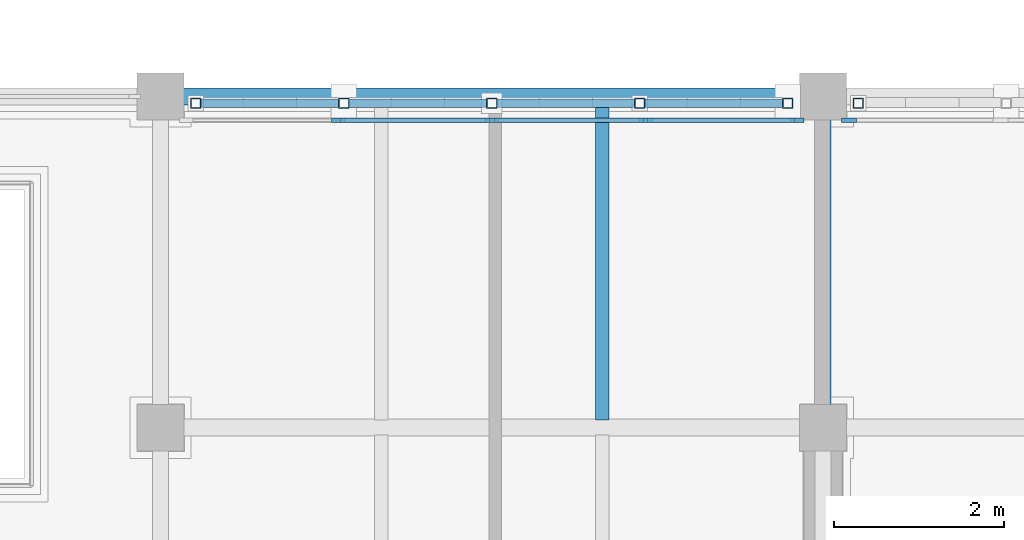
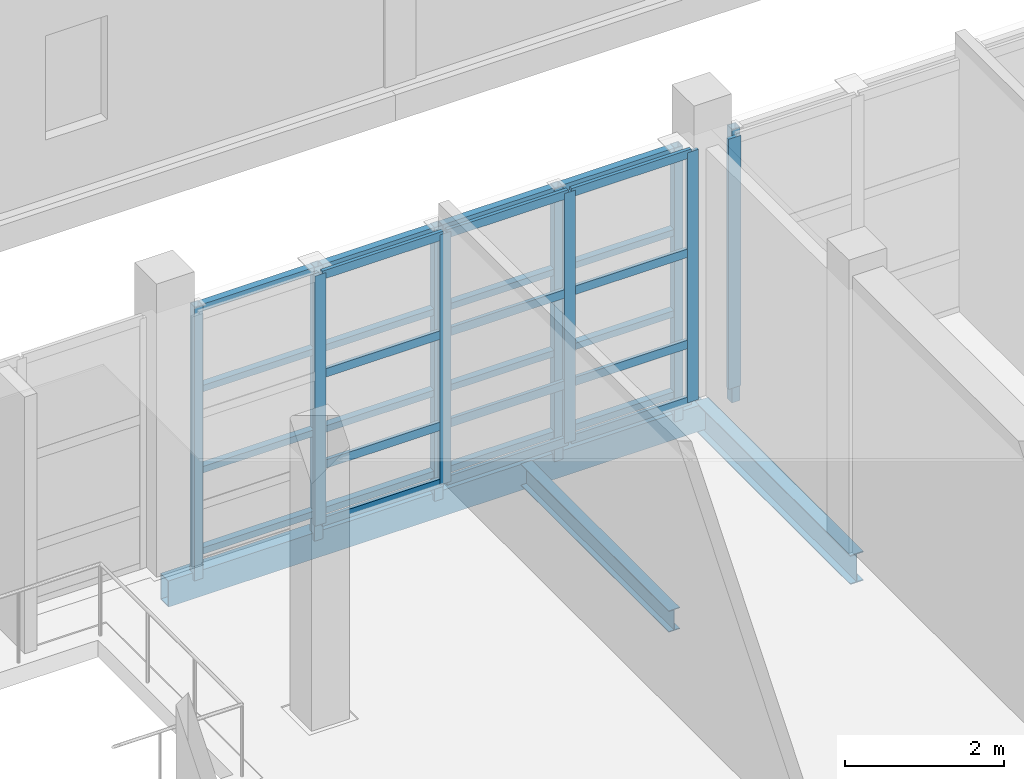
# One storey, part 19 of 119: 39 members, 3 beams, 2 elements without a shape of their own.
"""IFC4 building model written with IfcOpenShell, lengths in metres."""

import ifcopenshell
import ifcopenshell.guid

model = None  # the IFC model being written
_history = None  # IfcOwnerHistory: only IFC2X3 demands one
_inside = {}  # id of a spatial element -> (the spatial element, [elements in it])
_under = {}  # id of a project, library or spatial element -> (it, [spatial elements below it])
_declared = {}  # id of a project -> (the project, [libraries it declares])
_typed = {}  # id of a type object -> (the type object, [elements of that type])
_made_of = {}  # id of a material, layer set ... -> (it, [elements and type objects made of it])


def new_model(schema):
    """Start an empty IFC model of exactly this schema.

    Asked for "IFC4X3", IfcOpenShell would pick the latest addendum, in which some entities
    have other attributes; the version numbers below select the first issue.
    IFC2X3 requires an IfcOwnerHistory on every rooted entity: one is made here for all.
    """
    global model, _history
    if schema == "IFC4X3":
        model = ifcopenshell.file(schema_version=(4, 3, 0, 0))
    else:
        model = ifcopenshell.file(schema=schema)
    _inside.clear()
    _under.clear()
    _declared.clear()
    _typed.clear()
    _made_of.clear()
    _history = None
    if model.schema == "IFC2X3":
        org = make("IfcOrganization", Name="unknown")
        user = make(
            "IfcPersonAndOrganization",
            ThePerson=make("IfcPerson", FamilyName="unknown"),
            TheOrganization=org,
        )
        app = make(
            "IfcApplication",
            ApplicationDeveloper=org,
            Version="unknown",
            ApplicationFullName="unknown",
            ApplicationIdentifier="unknown",
        )
        _history = make(
            "IfcOwnerHistory",
            OwningUser=user,
            OwningApplication=app,
            ChangeAction="ADDED",
            CreationDate=0,
        )
    return model


def make(cls, **values):
    """One entity of the class cls with the attributes given. An attribute that is None is left unset."""
    return model.create_entity(
        cls, **{name: value for name, value in values.items() if value is not None}
    )


def rooted(cls, **values):
    """An entity with a GlobalId (a new one), such as an element, a storey or a relation."""
    return make(cls, GlobalId=ifcopenshell.guid.new(), OwnerHistory=_history, **values)


def si_unit(unit_type, name, prefix=None):
    """IfcSIUnit, for example si_unit("LENGTHUNIT", "METRE", prefix="MILLI")."""
    return make("IfcSIUnit", UnitType=unit_type, Prefix=prefix, Name=name)


def assignment(units):
    """IfcUnitAssignment: the units of a project."""
    return None if units is None else make("IfcUnitAssignment", Units=units)


def point(xyz):
    """IfcCartesianPoint."""
    return None if xyz is None else make("IfcCartesianPoint", Coordinates=xyz)


def direction(xyz):
    """IfcDirection."""
    return None if xyz is None else make("IfcDirection", DirectionRatios=xyz)


def frame(location, z_axis=None, x_axis=None):
    """IfcAxis2Placement3D, a coordinate frame: its origin and axes. An axis left out is left unset."""
    return make(
        "IfcAxis2Placement3D",
        Location=point(location),
        Axis=direction(z_axis),
        RefDirection=direction(x_axis),
    )


def frame_2d(location, x_axis=None):
    """IfcAxis2Placement2D, a coordinate frame in the plane: its origin and x axis."""
    return make(
        "IfcAxis2Placement2D", Location=point(location), RefDirection=direction(x_axis)
    )


def origin():
    """The frame at (0, 0, 0) with its axes left unset."""
    return frame((0.0, 0.0, 0.0))


def origin_2d():
    """The frame at (0, 0) in the plane with its x axis left unset."""
    return frame_2d((0.0, 0.0))


def place(relative_to, where):
    """IfcLocalPlacement: puts the frame where relative to a parent placement (None: the world)."""
    return make(
        "IfcLocalPlacement", PlacementRelTo=relative_to, RelativePlacement=where
    )


def context(
    kind, dimensions, precision=None, world=None, true_north=None, identifier=None
):
    """IfcGeometricRepresentationContext, for example the 3D "Model" context."""
    return make(
        "IfcGeometricRepresentationContext",
        ContextIdentifier=identifier,
        ContextType=kind,
        CoordinateSpaceDimension=dimensions,
        Precision=precision,
        WorldCoordinateSystem=world,
        TrueNorth=true_north,
    )


def subcontext(parent, identifier, kind, view, scale=None):
    """IfcGeometricRepresentationSubContext, for example "Body" below "Model"."""
    return make(
        "IfcGeometricRepresentationSubContext",
        ContextIdentifier=identifier,
        ContextType=kind,
        ParentContext=parent,
        TargetScale=scale,
        TargetView=view,
    )


def project(units=None, contexts=None):
    """IfcProject with its units and contexts."""
    return rooted(
        "IfcProject",
        Name="project",
        RepresentationContexts=contexts,
        UnitsInContext=assignment(units),
    )


def spatial(cls, under=None, at=None, **own):
    """A site, building, storey or space (cls), placed at a placement, below another one or the project."""
    s = rooted(cls, ObjectPlacement=at, **own)
    if under is not None:
        _under.setdefault(under.id(), (under, []))[1].append(s)
    return s


def profile(cls, at=None, kind="AREA", **sizes):
    """A parametric profile (cls). Its sizes go by their IFC names, for example OverallWidth=200.0."""
    return make(cls, ProfileType=kind, Position=at, **sizes)


def rectangle(**sizes):
    """IfcRectangleProfileDef."""
    return profile("IfcRectangleProfileDef", **sizes)


def hollow_rectangle(**sizes):
    """IfcRectangleHollowProfileDef."""
    return profile("IfcRectangleHollowProfileDef", **sizes)


def i_section(**sizes):
    """IfcIShapeProfileDef."""
    return profile("IfcIShapeProfileDef", **sizes)


def extrude(swept, where, along, depth):
    """IfcExtrudedAreaSolid: the profile swept, set in the frame where, extruded along a direction by depth."""
    return make(
        "IfcExtrudedAreaSolid",
        SweptArea=swept,
        Position=where,
        ExtrudedDirection=direction(along),
        Depth=depth,
    )


def shape(context_of_items, identifier, shape_type, items):
    """IfcShapeRepresentation: the items that make up one representation, for example the "Body"."""
    return make(
        "IfcShapeRepresentation",
        ContextOfItems=context_of_items,
        RepresentationIdentifier=identifier,
        RepresentationType=shape_type,
        Items=items,
    )


def material(Name=None, Category=None):
    """IfcMaterial."""
    return make("IfcMaterial", Name=Name, Category=Category)


def layer(
    of_material, thickness, ventilated=None, Name=None, Category=None, Priority=None
):
    """IfcMaterialLayer: one layer of a wall or slab, of a material (None: an air gap)."""
    return make(
        "IfcMaterialLayer",
        Material=of_material,
        LayerThickness=thickness,
        IsVentilated=ventilated,
        Name=Name,
        Category=Category,
        Priority=Priority,
    )


def layer_set(layers, Name=None):
    """IfcMaterialLayerSet."""
    return make("IfcMaterialLayerSet", MaterialLayers=layers, LayerSetName=Name)


def material_profile(
    of_material, cross_section, Name=None, Category=None, Priority=None
):
    """IfcMaterialProfile: a cross section and its material."""
    return make(
        "IfcMaterialProfile",
        Name=Name,
        Material=of_material,
        Profile=cross_section,
        Priority=Priority,
        Category=Category,
    )


def profile_set(profiles, Name=None, composite=None):
    """IfcMaterialProfileSet."""
    return make(
        "IfcMaterialProfileSet",
        Name=Name,
        MaterialProfiles=profiles,
        CompositeProfile=composite,
    )


def made_of(thing, what):
    """Note that an element or type object is made of a material, layer set ...; save() writes the relation."""
    if what is not None:
        _made_of.setdefault(what.id(), (what, []))[1].append(thing)
    return thing


def type_object(cls, material=None, **own):
    """A type object (cls), such as IfcWallType, which elements share."""
    return made_of(rooted(cls, **own), material)


def element(
    cls,
    number,
    at=None,
    inside=None,
    cuts=None,
    type_object=None,
    material=None,
    context=None,
    identifier="Body",
    shape_type=None,
    held_by="IfcProductDefinitionShape",
    body=None,
    shapes=None,
    **own,
):
    """One element of the class cls, such as IfcWall. Its Tag is "e" and its number.

    at: its placement. inside: the storey or other place that contains it. cuts: it is an
    opening in that element (IfcRelVoidsElement). A single representation is given by context,
    identifier, shape_type and body (its items); several are given by shapes. held_by: the class
    of the entity that holds the representations. save() writes the other relations.
    """
    e = rooted(cls, Tag="e%d" % number, ObjectPlacement=at, **own)
    if body is not None:
        shapes = [shape(context, identifier, shape_type, body)]
    if shapes is not None:
        e.Representation = make(held_by, Representations=shapes)
    if inside is not None:
        _inside.setdefault(inside.id(), (inside, []))[1].append(e)
    if cuts is not None:
        rooted(
            "IfcRelVoidsElement", RelatingBuildingElement=cuts, RelatedOpeningElement=e
        )
    if type_object is not None:
        _typed.setdefault(type_object.id(), (type_object, []))[1].append(e)
    return made_of(e, material)


def aggregate(whole, parts):
    """IfcRelAggregates: a whole, such as a stair, and the parts it consists of."""
    return rooted("IfcRelAggregates", RelatingObject=whole, RelatedObjects=parts)


def save(model, path):
    """Write the relations noted so far, then the file.

    IfcRelAggregates (storeys below a building ...), IfcRelContainedInSpatialStructure (elements
    in a storey), IfcRelDefinesByType, IfcRelAssociatesMaterial and IfcRelDeclares: one each for
    every whole, place, type object, material and project.
    """
    for whole, parts in _under.values():
        aggregate(whole, parts)
    for where, things in _inside.values():
        rooted(
            "IfcRelContainedInSpatialStructure",
            RelatedElements=things,
            RelatingStructure=where,
        )
    for kind, things in _typed.values():
        rooted("IfcRelDefinesByType", RelatedObjects=things, RelatingType=kind)
    for what, things in _made_of.values():
        rooted("IfcRelAssociatesMaterial", RelatedObjects=things, RelatingMaterial=what)
    for by, libraries in _declared.values():
        rooted("IfcRelDeclares", RelatingContext=by, RelatedDefinitions=libraries)
    model.write(path)


model = new_model("IFC4")

# Units and contexts
model_context = context("Model", 3, precision=1e-05, world=origin(), true_north=direction((0.0, 1.0)))
body_context = subcontext(model_context, "Body", "Model", "MODEL_VIEW")
ifc_project = project(units=[si_unit("LENGTHUNIT", "METRE"), si_unit("AREAUNIT", "SQUARE_METRE"), si_unit("VOLUMEUNIT", "CUBIC_METRE"), si_unit("PLANEANGLEUNIT", "RADIAN"), si_unit("MASSUNIT", "GRAM", prefix="KILO")], contexts=[model_context])

# Site, building, storey
site_placement = place(None, origin())
site = spatial("IfcSite", under=ifc_project, at=site_placement, CompositionType="ELEMENT")
building_placement = place(site_placement, origin())
building = spatial("IfcBuilding", under=site, at=building_placement, Name="Celorna Specialist Clinic", CompositionType="ELEMENT")
storey_placement = place(building_placement, frame((0.0, 0.0, 9.60009765625)))
storey = spatial("IfcBuildingStorey", under=building, at=storey_placement, Name="L02", CompositionType="ELEMENT", Elevation=9.60009765625)

# Beams
ifc_material_1 = material(Name="Steel S355", Category="steel")
ifc_material_profile_1 = material_profile(ifc_material_1, i_section(OverallWidth=0.18994140625, OverallDepth=0.449951171875, WebThickness=0.009521484375, FlangeThickness=0.0146484375, at=origin_2d()), Name="IPE 450")
ifc_profile_set_1 = profile_set([ifc_material_profile_1], Name="Steel S355")
beam_type_1 = type_object("IfcBeamType", Name="BM-09", PredefinedType="BEAM", material=ifc_profile_set_1)
beam_1_placement = place(storey_placement, frame((31.199951171875, 23.39990234375, -0.485107421875), z_axis=(0.0, 1.0, 0.0), x_axis=(-1.0, 0.0, 0.0)))
element("IfcBeam", 1, at=beam_1_placement, inside=storey, type_object=beam_type_1, Name="Transverse girder BM-09 #1763", PredefinedType="BEAM", context=body_context, shape_type="SweptSolid", body=[
    extrude(i_section(OverallWidth=0.18994140625, OverallDepth=0.449951171875, WebThickness=0.009521484375, FlangeThickness=0.0146484375, at=origin_2d()), origin(), (0.0, 0.0, 1.0), 3.900146484375),
])
ifc_material_profile_2 = material_profile(ifc_material_1, i_section(OverallWidth=0.159912109375, OverallDepth=0.330078125, WebThickness=0.007568359375, FlangeThickness=0.011474609375, at=origin_2d()), Name="IPE 330")
ifc_profile_set_2 = profile_set([ifc_material_profile_2], Name="Steel S355")
beam_type_2 = type_object("IfcBeamType", Name="BM-12", PredefinedType="JOIST", material=ifc_profile_set_2)
beam_2_placement = place(storey_placement, frame((28.60009765625, 23.488037109375, -0.425048828125), z_axis=(0.0, 1.0, 0.0), x_axis=(-1.0, 0.0, 0.0)))
element("IfcBeam", 2, at=beam_2_placement, inside=storey, type_object=beam_type_2, Name="Secondary floor joist BM-12 #1804", PredefinedType="JOIST", context=body_context, shape_type="SweptSolid", body=[
    extrude(i_section(OverallWidth=0.159912109375, OverallDepth=0.330078125, WebThickness=0.007568359375, FlangeThickness=0.011474609375, at=origin_2d()), origin(), (0.0, 0.0, 1.0), 3.723876953125),
])
ifc_material_profile_3 = material_profile(ifc_material_1, hollow_rectangle(XDim=0.199951171875, YDim=0.39990234375, WallThickness=0.011962890625, at=origin_2d()), Name="RHS 200x400x12")
ifc_profile_set_3 = profile_set([ifc_material_profile_3], Name="Steel S355")
beam_type_3 = type_object("IfcBeamType", Name="BM-15", PredefinedType="SPANDREL", material=ifc_profile_set_3)
beam_3_placement = place(storey_placement, frame((23.39990234375, 27.300048828125, -0.460205078125), z_axis=(1.0, 0.0, 0.0), x_axis=(0.0, 1.0, 0.0)))
element("IfcBeam", 3, at=beam_3_placement, inside=storey, type_object=beam_type_3, Name="Spandrel beam BM-15 #1736", PredefinedType="SPANDREL", context=body_context, shape_type="SweptSolid", body=[
    extrude(hollow_rectangle(XDim=0.199951171875, YDim=0.39990234375, WallThickness=0.011962890625, at=origin_2d()), origin(), (0.0, 0.0, 1.0), 7.800048828125),
])

# Members
ifc_material_profile_4 = material_profile(ifc_material_1, hollow_rectangle(XDim=0.1201171875, YDim=0.1201171875, WallThickness=0.008056640625, at=origin_2d()), Name="SHS 120x120x8")
ifc_profile_set_4 = profile_set([ifc_material_profile_4], Name="Steel S355")
member_type_1 = type_object("IfcMemberType", Name="MB-11", PredefinedType="STUD", material=ifc_profile_set_4)
for number, where, z_axis, x_axis, name in (
    (4, (23.81494140625, 27.219970703125, -0.360107421875), (0.0, 0.0, 1.0), (1.0, 0.0, 0.0), "Perforated screen steel post #1773"),
    (5, (25.5576171875, 27.219970703125, -0.360107421875), (0.0, 0.0, 1.0), (1.0, 0.0, 0.0), "Perforated screen steel post #1774"),
    (6, (27.300048828125, 27.219970703125, -0.360107421875), (0.0, 0.0, 1.0), (1.0, 0.0, 0.0), "Perforated screen steel post #1775"),
    (7, (29.04248046875, 27.219970703125, -0.360107421875), (0.0, 0.0, 1.0), (1.0, 0.0, 0.0), "Perforated screen steel post #1776"),
    (8, (30.784912109375, 27.219970703125, -0.360107421875), (0.0, 0.0, 1.0), (1.0, 0.0, 0.0), "Perforated screen steel post #1777"),
    (9, (31.614990234375, 27.219970703125, -0.360107421875), (0.0, 0.0, 1.0), (1.0, 0.0, 0.0), "Perforated screen steel post #1794"),
):
    element("IfcMember", number, at=place(storey_placement, frame(where, z_axis=z_axis, x_axis=x_axis)), inside=storey, type_object=member_type_1, Name=name, PredefinedType="STUD", context=body_context, shape_type="SweptSolid", body=[
        extrude(hollow_rectangle(XDim=0.1201171875, YDim=0.1201171875, WallThickness=0.008056640625, at=origin_2d()), origin(), (0.0, 0.0, 1.0), 4.199951171875),
    ])
ifc_material_profile_5 = material_profile(ifc_material_1, hollow_rectangle(XDim=0.10009765625, YDim=0.10009765625, WallThickness=0.006103515625, at=origin_2d()), Name="SHS 100x100x6")
ifc_profile_set_5 = profile_set([ifc_material_profile_5], Name="Steel S355")
member_type_2 = type_object("IfcMemberType", Name="MB-12", PredefinedType="STUD", material=ifc_profile_set_5)
for number, where, z_axis, x_axis, name in (
    (10, (23.875, 27.219970703125, 0.0498046875), (1.0, 0.0, 0.0), (0.0, 1.0, 0.0), "Perforated screen rail #1778"),
    (11, (23.875, 27.219970703125, 1.296630859375), (1.0, 0.0, 0.0), (0.0, 1.0, 0.0), "Perforated screen rail #1779"),
    (12, (23.875, 27.219970703125, 2.543212890625), (1.0, 0.0, 0.0), (0.0, 1.0, 0.0), "Perforated screen rail #1780"),
    (13, (23.875, 27.219970703125, 3.789794921875), (1.0, 0.0, 0.0), (0.0, 1.0, 0.0), "Perforated screen rail #1781"),
    (14, (25.617431640625, 27.219970703125, 0.0498046875), (1.0, 0.0, 0.0), (0.0, 1.0, 0.0), "Perforated screen rail #1782"),
    (15, (25.617431640625, 27.219970703125, 1.296630859375), (1.0, 0.0, 0.0), (0.0, 1.0, 0.0), "Perforated screen rail #1783"),
    (16, (25.617431640625, 27.219970703125, 2.543212890625), (1.0, 0.0, 0.0), (0.0, 1.0, 0.0), "Perforated screen rail #1784"),
    (17, (25.617431640625, 27.219970703125, 3.789794921875), (1.0, 0.0, 0.0), (0.0, 1.0, 0.0), "Perforated screen rail #1785"),
):
    element("IfcMember", number, at=place(storey_placement, frame(where, z_axis=z_axis, x_axis=x_axis)), inside=storey, type_object=member_type_2, Name=name, PredefinedType="STUD", context=body_context, shape_type="SweptSolid", body=[
        extrude(hollow_rectangle(XDim=0.10009765625, YDim=0.10009765625, WallThickness=0.006103515625, at=origin_2d()), origin(), (0.0, 0.0, 1.0), 1.62255859375),
    ])
for number, where, z_axis, x_axis, name in (
    (18, (27.360107421875, 27.219970703125, 0.0498046875), (1.0, 0.0, 0.0), (0.0, 1.0, 0.0), "Perforated screen rail #1786"),
    (19, (27.360107421875, 27.219970703125, 1.296630859375), (1.0, 0.0, 0.0), (0.0, 1.0, 0.0), "Perforated screen rail #1787"),
    (20, (27.360107421875, 27.219970703125, 2.543212890625), (1.0, 0.0, 0.0), (0.0, 1.0, 0.0), "Perforated screen rail #1788"),
    (21, (27.360107421875, 27.219970703125, 3.789794921875), (1.0, 0.0, 0.0), (0.0, 1.0, 0.0), "Perforated screen rail #1789"),
):
    element("IfcMember", number, at=place(storey_placement, frame(where, z_axis=z_axis, x_axis=x_axis)), inside=storey, type_object=member_type_2, Name=name, PredefinedType="STUD", context=body_context, shape_type="SweptSolid", body=[
        extrude(hollow_rectangle(XDim=0.10009765625, YDim=0.10009765625, WallThickness=0.006103515625, at=origin_2d()), origin(), (0.0, 0.0, 1.0), 1.622314453125),
    ])
for number, where, z_axis, x_axis, name in (
    (22, (29.1025390625, 27.219970703125, 0.0498046875), (1.0, 0.0, 0.0), (0.0, 1.0, 0.0), "Perforated screen rail #1790"),
    (23, (29.1025390625, 27.219970703125, 1.296630859375), (1.0, 0.0, 0.0), (0.0, 1.0, 0.0), "Perforated screen rail #1791"),
    (24, (29.1025390625, 27.219970703125, 2.543212890625), (1.0, 0.0, 0.0), (0.0, 1.0, 0.0), "Perforated screen rail #1792"),
    (25, (29.1025390625, 27.219970703125, 3.789794921875), (1.0, 0.0, 0.0), (0.0, 1.0, 0.0), "Perforated screen rail #1793"),
):
    element("IfcMember", number, at=place(storey_placement, frame(where, z_axis=z_axis, x_axis=x_axis)), inside=storey, type_object=member_type_2, Name=name, PredefinedType="STUD", context=body_context, shape_type="SweptSolid", body=[
        extrude(hollow_rectangle(XDim=0.10009765625, YDim=0.10009765625, WallThickness=0.006103515625, at=origin_2d()), origin(), (0.0, 0.0, 1.0), 1.62255859375),
    ])

# Curtain wall, members
ifc_material_2 = material(Name="Thermally broken aluminium and solar-control glass curtain wall", Category="aluminium")
ifc_layer_1 = layer(ifc_material_2, 0.159912109375, Name="Thermally broken aluminium and solar-control glass curtain wall")
ifc_layer_set_1 = layer_set([ifc_layer_1], Name="Thermally broken aluminium and solar-control glass curtain wall")
curtain_wall_type_1 = type_object("IfcCurtainWallType", Name="CW-90", PredefinedType="NOTDEFINED", material=ifc_layer_set_1)
curtain_wall_1_placement = place(storey_placement, origin())
curtain_wall_1 = element("IfcCurtainWall", 26, at=curtain_wall_1_placement, inside=storey, type_object=curtain_wall_type_1, Name="Curtain wall CW-90 #164", PredefinedType="NOTDEFINED")
ifc_material_3 = material(Name="Anodized aluminium mullion", Category="aluminium")
ifc_material_profile_6 = material_profile(ifc_material_3, rectangle(XDim=0.050048828125, YDim=0.159912109375, at=origin_2d()), Name="ALU MULLION 50x160")
ifc_profile_set_6 = profile_set([ifc_material_profile_6], Name="Anodized aluminium mullion")
member_type_3 = type_object("IfcMemberType", Name="ML-01", PredefinedType="MULLION", material=ifc_profile_set_6)
member_1_placement = place(storey_placement, frame((25.489501953125, 27.02001953125, 0.0), z_axis=(0.0, 0.0, 1.0), x_axis=(0.0, 1.0, 0.0)))
member_1 = element("IfcMember", 27, at=member_1_placement, type_object=member_type_3, Name="CW-90 mullion 2", PredefinedType="MULLION", context=body_context, shape_type="SweptSolid", body=[
    extrude(rectangle(XDim=0.050048828125, YDim=0.159912109375, at=origin_2d()), origin(), (0.0, 0.0, 1.0), 3.83984375),
])
member_2_placement = place(storey_placement, frame((27.300048828125, 27.02001953125, 0.0), z_axis=(0.0, 0.0, 1.0), x_axis=(0.0, 1.0, 0.0)))
member_2 = element("IfcMember", 28, at=member_2_placement, type_object=member_type_3, Name="CW-90 mullion 3", PredefinedType="MULLION", context=body_context, shape_type="SweptSolid", body=[
    extrude(rectangle(XDim=0.050048828125, YDim=0.159912109375, at=origin_2d()), origin(), (0.0, 0.0, 1.0), 3.83984375),
])
member_3_placement = place(storey_placement, frame((29.110595703125, 27.02001953125, 0.0), z_axis=(0.0, 0.0, 1.0), x_axis=(0.0, 1.0, 0.0)))
member_3 = element("IfcMember", 29, at=member_3_placement, type_object=member_type_3, Name="CW-90 mullion 4", PredefinedType="MULLION", context=body_context, shape_type="SweptSolid", body=[
    extrude(rectangle(XDim=0.050048828125, YDim=0.159912109375, at=origin_2d()), origin(), (0.0, 0.0, 1.0), 3.83984375),
])
member_4_placement = place(storey_placement, frame((30.89599609375, 27.02001953125, 0.0), z_axis=(0.0, 0.0, 1.0), x_axis=(0.0, 1.0, 0.0)))
member_4 = element("IfcMember", 30, at=member_4_placement, type_object=member_type_3, Name="CW-90 mullion 5", PredefinedType="MULLION", context=body_context, shape_type="SweptSolid", body=[
    extrude(rectangle(XDim=0.050048828125, YDim=0.159912109375, at=origin_2d()), origin(), (0.0, 0.0, 1.0), 3.83984375),
])

# Curtain wall, member
ifc_layer_2 = layer(ifc_material_2, 0.159912109375, Name="Thermally broken aluminium and solar-control glass curtain wall")
ifc_layer_set_2 = layer_set([ifc_layer_2], Name="Thermally broken aluminium and solar-control glass curtain wall")
curtain_wall_type_2 = type_object("IfcCurtainWallType", Name="CW-88", PredefinedType="NOTDEFINED", material=ifc_layer_set_2)
curtain_wall_2_placement = place(storey_placement, origin())
curtain_wall_2 = element("IfcCurtainWall", 31, at=curtain_wall_2_placement, inside=storey, type_object=curtain_wall_type_2, Name="Curtain wall CW-88 #165", PredefinedType="NOTDEFINED")
ifc_material_profile_7 = material_profile(ifc_material_3, rectangle(XDim=0.050048828125, YDim=0.179931640625, at=origin_2d()), Name="ALU MULLION 50x180")
ifc_profile_set_7 = profile_set([ifc_material_profile_7], Name="Anodized aluminium mullion")
member_type_4 = type_object("IfcMemberType", Name="ML-02", PredefinedType="MULLION", material=ifc_profile_set_7)
member_5_placement = place(storey_placement, frame((31.50390625, 27.02001953125, 0.0), z_axis=(0.0, 0.0, 1.0), x_axis=(0.0, 1.0, 0.0)))
member_5 = element("IfcMember", 32, at=member_5_placement, type_object=member_type_4, Name="CW-88 mullion 1", PredefinedType="MULLION", context=body_context, shape_type="SweptSolid", body=[
    extrude(rectangle(XDim=0.050048828125, YDim=0.179931640625, at=origin_2d()), origin(), (0.0, 0.0, 1.0), 3.83984375),
])
aggregate(curtain_wall_2, [member_5])

# Member
ifc_material_4 = material(Name="Anodized aluminium transom", Category="aluminium")
ifc_material_profile_8 = material_profile(ifc_material_4, rectangle(XDim=0.050048828125, YDim=0.1298828125, at=origin_2d()), Name="ALU TRANSOM 50x130")
ifc_profile_set_8 = profile_set([ifc_material_profile_8], Name="Anodized aluminium transom")
member_type_5 = type_object("IfcMemberType", Name="TR-01", PredefinedType="USERDEFINED", material=ifc_profile_set_8)
member_6_placement = place(storey_placement, frame((25.514404296875, 27.02001953125, 0.02490234375), z_axis=(1.0, 0.0, 0.0), x_axis=(0.0, 1.0, 0.0)))
member_6 = element("IfcMember", 33, at=member_6_placement, type_object=member_type_5, Name="CW-90 transom 2.1", ObjectType="TRANSOM", PredefinedType="USERDEFINED", context=body_context, shape_type="SweptSolid", body=[
    extrude(rectangle(XDim=0.050048828125, YDim=0.1298828125, at=origin_2d()), origin(), (0.0, 0.0, 1.0), 1.760498046875),
])

member_7_placement = place(storey_placement, frame((25.514404296875, 27.02001953125, 0.89990234375), z_axis=(1.0, 0.0, 0.0), x_axis=(0.0, 1.0, 0.0)))
member_7 = element("IfcMember", 34, at=member_7_placement, type_object=member_type_5, Name="CW-90 transom 2.2", ObjectType="TRANSOM", PredefinedType="USERDEFINED", context=body_context, shape_type="SweptSolid", body=[
    extrude(rectangle(XDim=0.050048828125, YDim=0.1298828125, at=origin_2d()), origin(), (0.0, 0.0, 1.0), 1.760498046875),
])

member_8_placement = place(storey_placement, frame((25.514404296875, 27.02001953125, 2.2998046875), z_axis=(1.0, 0.0, 0.0), x_axis=(0.0, 1.0, 0.0)))
member_8 = element("IfcMember", 35, at=member_8_placement, type_object=member_type_5, Name="CW-90 transom 2.3", ObjectType="TRANSOM", PredefinedType="USERDEFINED", context=body_context, shape_type="SweptSolid", body=[
    extrude(rectangle(XDim=0.050048828125, YDim=0.1298828125, at=origin_2d()), origin(), (0.0, 0.0, 1.0), 1.760498046875),
])

member_9_placement = place(storey_placement, frame((25.514404296875, 27.02001953125, 3.81494140625), z_axis=(1.0, 0.0, 0.0), x_axis=(0.0, 1.0, 0.0)))
member_9 = element("IfcMember", 36, at=member_9_placement, type_object=member_type_5, Name="CW-90 transom 2.4", ObjectType="TRANSOM", PredefinedType="USERDEFINED", context=body_context, shape_type="SweptSolid", body=[
    extrude(rectangle(XDim=0.050048828125, YDim=0.1298828125, at=origin_2d()), origin(), (0.0, 0.0, 1.0), 1.760498046875),
])

member_10_placement = place(storey_placement, frame((27.324951171875, 27.02001953125, 0.02490234375), z_axis=(1.0, 0.0, 0.0), x_axis=(0.0, 1.0, 0.0)))
member_10 = element("IfcMember", 37, at=member_10_placement, type_object=member_type_5, Name="CW-90 transom 3.1", ObjectType="TRANSOM", PredefinedType="USERDEFINED", context=body_context, shape_type="SweptSolid", body=[
    extrude(rectangle(XDim=0.050048828125, YDim=0.1298828125, at=origin_2d()), origin(), (0.0, 0.0, 1.0), 1.760498046875),
])

member_11_placement = place(storey_placement, frame((27.324951171875, 27.02001953125, 0.89990234375), z_axis=(1.0, 0.0, 0.0), x_axis=(0.0, 1.0, 0.0)))
member_11 = element("IfcMember", 38, at=member_11_placement, type_object=member_type_5, Name="CW-90 transom 3.2", ObjectType="TRANSOM", PredefinedType="USERDEFINED", context=body_context, shape_type="SweptSolid", body=[
    extrude(rectangle(XDim=0.050048828125, YDim=0.1298828125, at=origin_2d()), origin(), (0.0, 0.0, 1.0), 1.760498046875),
])

member_12_placement = place(storey_placement, frame((27.324951171875, 27.02001953125, 2.2998046875), z_axis=(1.0, 0.0, 0.0), x_axis=(0.0, 1.0, 0.0)))
member_12 = element("IfcMember", 39, at=member_12_placement, type_object=member_type_5, Name="CW-90 transom 3.3", ObjectType="TRANSOM", PredefinedType="USERDEFINED", context=body_context, shape_type="SweptSolid", body=[
    extrude(rectangle(XDim=0.050048828125, YDim=0.1298828125, at=origin_2d()), origin(), (0.0, 0.0, 1.0), 1.760498046875),
])

member_13_placement = place(storey_placement, frame((27.324951171875, 27.02001953125, 3.81494140625), z_axis=(1.0, 0.0, 0.0), x_axis=(0.0, 1.0, 0.0)))
member_13 = element("IfcMember", 40, at=member_13_placement, type_object=member_type_5, Name="CW-90 transom 3.4", ObjectType="TRANSOM", PredefinedType="USERDEFINED", context=body_context, shape_type="SweptSolid", body=[
    extrude(rectangle(XDim=0.050048828125, YDim=0.1298828125, at=origin_2d()), origin(), (0.0, 0.0, 1.0), 1.760498046875),
])

member_14_placement = place(storey_placement, frame((29.135498046875, 27.02001953125, 0.02490234375), z_axis=(1.0, 0.0, 0.0), x_axis=(0.0, 1.0, 0.0)))
member_14 = element("IfcMember", 41, at=member_14_placement, type_object=member_type_5, Name="CW-90 transom 4.1", ObjectType="TRANSOM", PredefinedType="USERDEFINED", context=body_context, shape_type="SweptSolid", body=[
    extrude(rectangle(XDim=0.050048828125, YDim=0.1298828125, at=origin_2d()), origin(), (0.0, 0.0, 1.0), 1.735595703125),
])

member_15_placement = place(storey_placement, frame((29.135498046875, 27.02001953125, 0.89990234375), z_axis=(1.0, 0.0, 0.0), x_axis=(0.0, 1.0, 0.0)))
member_15 = element("IfcMember", 42, at=member_15_placement, type_object=member_type_5, Name="CW-90 transom 4.2", ObjectType="TRANSOM", PredefinedType="USERDEFINED", context=body_context, shape_type="SweptSolid", body=[
    extrude(rectangle(XDim=0.050048828125, YDim=0.1298828125, at=origin_2d()), origin(), (0.0, 0.0, 1.0), 1.735595703125),
])

member_16_placement = place(storey_placement, frame((29.135498046875, 27.02001953125, 2.2998046875), z_axis=(1.0, 0.0, 0.0), x_axis=(0.0, 1.0, 0.0)))
member_16 = element("IfcMember", 43, at=member_16_placement, type_object=member_type_5, Name="CW-90 transom 4.3", ObjectType="TRANSOM", PredefinedType="USERDEFINED", context=body_context, shape_type="SweptSolid", body=[
    extrude(rectangle(XDim=0.050048828125, YDim=0.1298828125, at=origin_2d()), origin(), (0.0, 0.0, 1.0), 1.735595703125),
])

member_17_placement = place(storey_placement, frame((29.135498046875, 27.02001953125, 3.81494140625), z_axis=(1.0, 0.0, 0.0), x_axis=(0.0, 1.0, 0.0)))
member_17 = element("IfcMember", 44, at=member_17_placement, type_object=member_type_5, Name="CW-90 transom 4.4", ObjectType="TRANSOM", PredefinedType="USERDEFINED", context=body_context, shape_type="SweptSolid", body=[
    extrude(rectangle(XDim=0.050048828125, YDim=0.1298828125, at=origin_2d()), origin(), (0.0, 0.0, 1.0), 1.735595703125),
])

aggregate(curtain_wall_1, [member_1, member_2, member_3, member_4, member_6, member_7, member_8, member_9, member_10, member_11, member_12, member_13, member_14, member_15, member_16, member_17])

save(model, "model.ifc")
